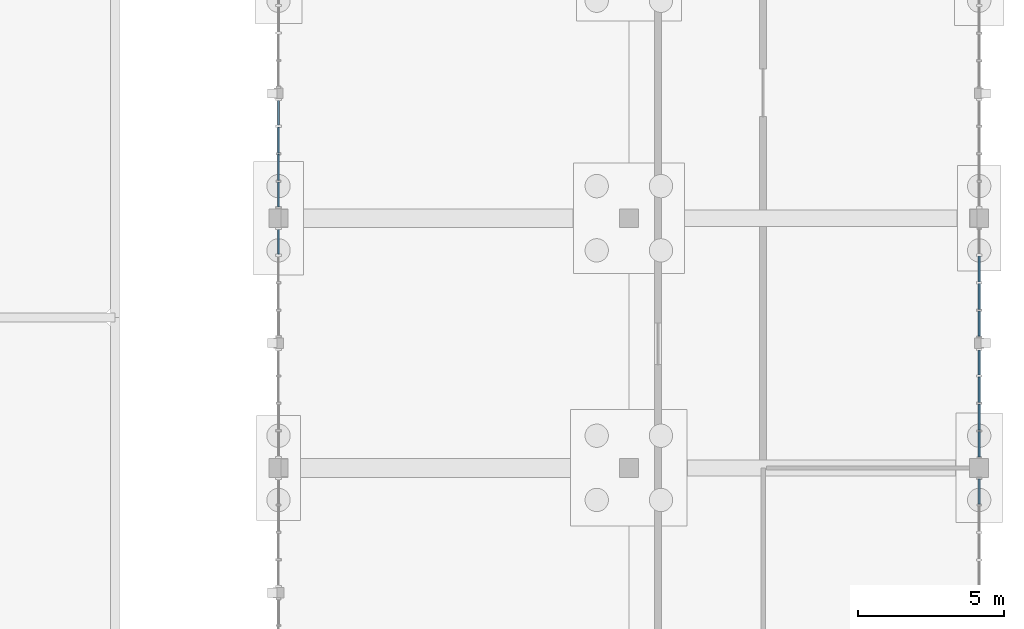
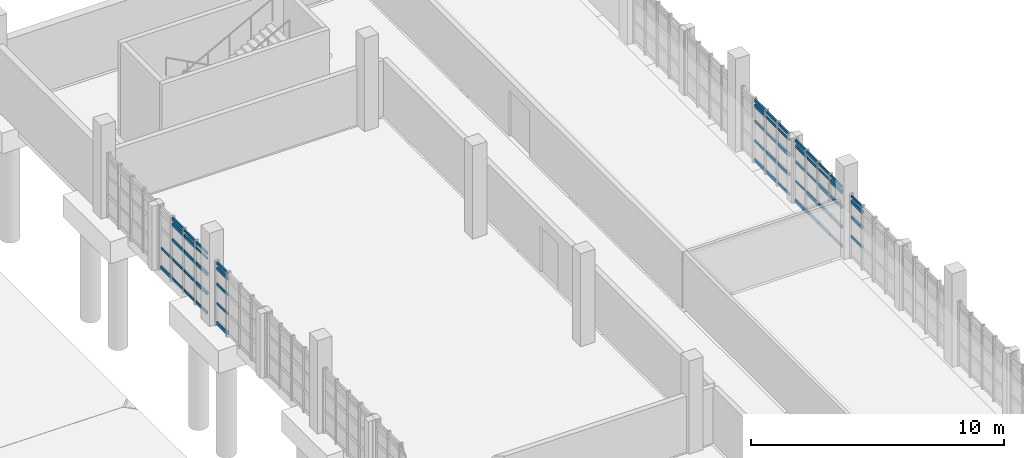
# One storey, part 75 of 125: 61 members, 5 elements without a shape of their own.
"""IFC4 building model written with IfcOpenShell, lengths in metres."""

from ifc_helpers import new_model, si_unit, direction, frame, origin, origin_2d, place, context, subcontext, project, spatial, rectangle, extrude, material, material_profile, profile_set, type_object, element, aggregate, save


model = new_model("IFC4")

# Units and contexts
model_context = context("Model", 3, precision=1e-05, world=origin(), true_north=direction((0.0, 1.0)))
body_context = subcontext(model_context, "Body", "Model", "MODEL_VIEW")
ifc_project = project(units=[si_unit("LENGTHUNIT", "METRE"), si_unit("AREAUNIT", "SQUARE_METRE"), si_unit("VOLUMEUNIT", "CUBIC_METRE"), si_unit("PLANEANGLEUNIT", "RADIAN"), si_unit("MASSUNIT", "GRAM", prefix="KILO")], contexts=[model_context])

# Site, building, storey
site_placement = place(None, origin())
site = spatial("IfcSite", under=ifc_project, at=site_placement, CompositionType="ELEMENT")
building_placement = place(site_placement, origin())
building = spatial("IfcBuilding", under=site, at=building_placement, Name="Serraforn Aerial Cableway Station", CompositionType="ELEMENT")
storey_placement = place(building_placement, frame((0.0, 0.0, 4.5)))
storey = spatial("IfcBuildingStorey", under=building, at=storey_placement, Name="L01", CompositionType="ELEMENT", Elevation=4.5)

# Curtain wall, member
ifc_material_1 = material(Name="Anodised bronze unitised curtain wall")
curtain_wall_type_1 = type_object("IfcCurtainWallType", Name="CW-SYS-14", PredefinedType="USERDEFINED", material=ifc_material_1)
curtain_wall_1_placement = place(storey_placement, origin())
curtain_wall_1 = element("IfcCurtainWall", 1, at=curtain_wall_1_placement, inside=storey, type_object=curtain_wall_type_1, Name="Unitised Curtain Wall CW-EG-L01-E5B", ObjectType="UNITISED CURTAIN WALL", PredefinedType="USERDEFINED")
ifc_material_2 = material(Name="Anodised bronze extruded aluminium", Category="aluminium")
ifc_material_profile_1 = material_profile(ifc_material_2, rectangle(XDim=0.054931640625, YDim=0.110107421875, at=origin_2d()), Name="CW TRANSOM 55x110")
ifc_profile_set_1 = profile_set([ifc_material_profile_1], Name="Anodised bronze extruded aluminium")
member_type_1 = type_object("IfcMemberType", Name="CW-TRN-1", PredefinedType="USERDEFINED", material=ifc_profile_set_1)
member_1_placement = place(storey_placement, frame((168.0, 87.109619140625, 2.9951171875), z_axis=(0.0, 1.0, 0.0), x_axis=(-1.0, 0.0, 0.0)))
member_1 = element("IfcMember", 2, at=member_1_placement, type_object=member_type_1, Name="Curtain Wall Transom CW-EG-L01-E5B-T4-5", ObjectType="TRANSOM", PredefinedType="USERDEFINED", context=body_context, shape_type="SweptSolid", body=[
    extrude(rectangle(XDim=0.054931640625, YDim=0.110107421875, at=origin_2d()), origin(), (0.0, 0.0, 1.0), 0.859375),
])

curtain_wall_type_2 = type_object("IfcCurtainWallType", Name="CW-SYS-15", PredefinedType="USERDEFINED", material=ifc_material_1)
curtain_wall_2_placement = place(storey_placement, origin())
curtain_wall_2 = element("IfcCurtainWall", 3, at=curtain_wall_2_placement, inside=storey, type_object=curtain_wall_type_2, Name="Unitised Curtain Wall CW-EG-L01-W6A", ObjectType="UNITISED CURTAIN WALL", PredefinedType="USERDEFINED")
member_2_placement = place(storey_placement, frame((144.0, 96.509033203125, 1.060791015625), z_axis=(0.0, -1.0, 0.0), x_axis=(1.0, 0.0, 0.0)))
member_2 = element("IfcMember", 4, at=member_2_placement, type_object=member_type_1, Name="Curtain Wall Transom CW-EG-L01-W6A-T1-2", ObjectType="TRANSOM", PredefinedType="USERDEFINED", context=body_context, shape_type="SweptSolid", body=[
    extrude(rectangle(XDim=0.054931640625, YDim=0.110107421875, at=origin_2d()), origin(), (0.0, 0.0, 1.0), 0.839599609375),
])

# Curtain wall, members
curtain_wall_type_3 = type_object("IfcCurtainWallType", Name="CW-SYS-17", PredefinedType="USERDEFINED", material=ifc_material_1)
curtain_wall_3_placement = place(storey_placement, origin())
curtain_wall_3 = element("IfcCurtainWall", 5, at=curtain_wall_3_placement, inside=storey, type_object=curtain_wall_type_3, Name="Unitised Curtain Wall CW-EG-L01-E6A", ObjectType="UNITISED CURTAIN WALL", PredefinedType="USERDEFINED")
member_3_placement = place(storey_placement, frame((168.0, 88.72607421875, 2.9951171875), z_axis=(0.0, 1.0, 0.0), x_axis=(-1.0, 0.0, 0.0)))
member_3 = element("IfcMember", 6, at=member_3_placement, type_object=member_type_1, Name="Curtain Wall Transom CW-EG-L01-E6A-T1-5", ObjectType="TRANSOM", PredefinedType="USERDEFINED", context=body_context, shape_type="SweptSolid", body=[
    extrude(rectangle(XDim=0.054931640625, YDim=0.110107421875, at=origin_2d()), origin(), (0.0, 0.0, 1.0), 0.86181640625),
])
member_4_placement = place(storey_placement, frame((168.0, 89.64404296875, 2.74560546875), z_axis=(0.0, 1.0, 0.0), x_axis=(-1.0, 0.0, 0.0)))
member_4 = element("IfcMember", 7, at=member_4_placement, type_object=member_type_1, Name="Curtain Wall Transom CW-EG-L01-E6A-T2-4", ObjectType="TRANSOM", PredefinedType="USERDEFINED", context=body_context, shape_type="SweptSolid", body=[
    extrude(rectangle(XDim=0.054931640625, YDim=0.110107421875, at=origin_2d()), origin(), (0.0, 0.0, 1.0), 0.884521484375),
])
member_5_placement = place(storey_placement, frame((168.0, 90.589599609375, 1.996826171875), z_axis=(0.0, 1.0, 0.0), x_axis=(-1.0, 0.0, 0.0)))
member_5 = element("IfcMember", 8, at=member_5_placement, type_object=member_type_1, Name="Curtain Wall Transom CW-EG-L01-E6A-T3-3", ObjectType="TRANSOM", PredefinedType="USERDEFINED", context=body_context, shape_type="SweptSolid", body=[
    extrude(rectangle(XDim=0.054931640625, YDim=0.110107421875, at=origin_2d()), origin(), (0.0, 0.0, 1.0), 0.87939453125),
])
member_6_placement = place(storey_placement, frame((168.0, 91.534912109375, 1.060791015625), z_axis=(0.0, 1.0, 0.0), x_axis=(-1.0, 0.0, 0.0)))
member_6 = element("IfcMember", 9, at=member_6_placement, type_object=member_type_1, Name="Curtain Wall Transom CW-EG-L01-E6A-T4-2", ObjectType="TRANSOM", PredefinedType="USERDEFINED", context=body_context, shape_type="SweptSolid", body=[
    extrude(rectangle(XDim=0.054931640625, YDim=0.110107421875, at=origin_2d()), origin(), (0.0, 0.0, 1.0), 0.837158203125),
])

curtain_wall_type_4 = type_object("IfcCurtainWallType", Name="CW-SYS-18", PredefinedType="USERDEFINED", material=ifc_material_1)
curtain_wall_4_placement = place(storey_placement, origin())
curtain_wall_4 = element("IfcCurtainWall", 10, at=curtain_wall_4_placement, inside=storey, type_object=curtain_wall_type_4, Name="Unitised Curtain Wall CW-EG-L01-E6B", ObjectType="UNITISED CURTAIN WALL", PredefinedType="USERDEFINED")
member_7_placement = place(storey_placement, frame((168.0, 92.863037109375, 2.74560546875), z_axis=(0.0, 1.0, 0.0), x_axis=(-1.0, 0.0, 0.0)))
member_7 = element("IfcMember", 11, at=member_7_placement, type_object=member_type_1, Name="Curtain Wall Transom CW-EG-L01-E6B-T1-4", ObjectType="TRANSOM", PredefinedType="USERDEFINED", context=body_context, shape_type="SweptSolid", body=[
    extrude(rectangle(XDim=0.054931640625, YDim=0.110107421875, at=origin_2d()), origin(), (0.0, 0.0, 1.0), 0.8544921875),
])
member_8_placement = place(storey_placement, frame((168.0, 93.778564453125, 1.996826171875), z_axis=(0.0, 1.0, 0.0), x_axis=(-1.0, 0.0, 0.0)))
member_8 = element("IfcMember", 12, at=member_8_placement, type_object=member_type_1, Name="Curtain Wall Transom CW-EG-L01-E6B-T2-3", ObjectType="TRANSOM", PredefinedType="USERDEFINED", context=body_context, shape_type="SweptSolid", body=[
    extrude(rectangle(XDim=0.054931640625, YDim=0.110107421875, at=origin_2d()), origin(), (0.0, 0.0, 1.0), 0.87939453125),
])
member_9_placement = place(storey_placement, frame((168.0, 94.72412109375, 1.060791015625), z_axis=(0.0, 1.0, 0.0), x_axis=(-1.0, 0.0, 0.0)))
member_9 = element("IfcMember", 13, at=member_9_placement, type_object=member_type_1, Name="Curtain Wall Transom CW-EG-L01-E6B-T3-2", ObjectType="TRANSOM", PredefinedType="USERDEFINED", context=body_context, shape_type="SweptSolid", body=[
    extrude(rectangle(XDim=0.054931640625, YDim=0.110107421875, at=origin_2d()), origin(), (0.0, 0.0, 1.0), 0.874267578125),
])

curtain_wall_type_5 = type_object("IfcCurtainWallType", Name="CW-SYS-20", PredefinedType="USERDEFINED", material=ifc_material_1)
curtain_wall_5_placement = place(storey_placement, origin())
curtain_wall_5 = element("IfcCurtainWall", 14, at=curtain_wall_5_placement, inside=storey, type_object=curtain_wall_type_5, Name="Unitised Curtain Wall CW-EG-L01-W7B", ObjectType="UNITISED CURTAIN WALL", PredefinedType="USERDEFINED")
member_10_placement = place(storey_placement, frame((144.0, 100.927001953125, 1.060791015625), z_axis=(0.0, -1.0, 0.0), x_axis=(1.0, 0.0, 0.0)))
member_10 = element("IfcMember", 15, at=member_10_placement, type_object=member_type_1, Name="Curtain Wall Transom CW-EG-L01-W7B-T1-2", ObjectType="TRANSOM", PredefinedType="USERDEFINED", context=body_context, shape_type="SweptSolid", body=[
    extrude(rectangle(XDim=0.054931640625, YDim=0.110107421875, at=origin_2d()), origin(), (0.0, 0.0, 1.0), 0.839599609375),
])
member_11_placement = place(storey_placement, frame((144.0, 100.0166015625, 0.124755859375), z_axis=(0.0, -1.0, 0.0), x_axis=(1.0, 0.0, 0.0)))
member_11 = element("IfcMember", 16, at=member_11_placement, type_object=member_type_1, Name="Curtain Wall Transom CW-EG-L01-W7B-T2-1", ObjectType="TRANSOM", PredefinedType="USERDEFINED", context=body_context, shape_type="SweptSolid", body=[
    extrude(rectangle(XDim=0.054931640625, YDim=0.110107421875, at=origin_2d()), origin(), (0.0, 0.0, 1.0), 0.882080078125),
])
member_12_placement = place(storey_placement, frame((144.0, 99.08349609375, 2.9951171875), z_axis=(0.0, -1.0, 0.0), x_axis=(1.0, 0.0, 0.0)))
member_12 = element("IfcMember", 17, at=member_12_placement, type_object=member_type_1, Name="Curtain Wall Transom CW-EG-L01-W7B-T3-5", ObjectType="TRANSOM", PredefinedType="USERDEFINED", context=body_context, shape_type="SweptSolid", body=[
    extrude(rectangle(XDim=0.054931640625, YDim=0.110107421875, at=origin_2d()), origin(), (0.0, 0.0, 1.0), 0.889404296875),
])
member_13_placement = place(storey_placement, frame((144.0, 98.137939453125, 2.74560546875), z_axis=(0.0, -1.0, 0.0), x_axis=(1.0, 0.0, 0.0)))
member_13 = element("IfcMember", 18, at=member_13_placement, type_object=member_type_1, Name="Curtain Wall Transom CW-EG-L01-W7B-T4-4", ObjectType="TRANSOM", PredefinedType="USERDEFINED", context=body_context, shape_type="SweptSolid", body=[
    extrude(rectangle(XDim=0.054931640625, YDim=0.110107421875, at=origin_2d()), origin(), (0.0, 0.0, 1.0), 0.85205078125),
])

# Member
ifc_material_profile_2 = material_profile(ifc_material_2, rectangle(XDim=0.06005859375, YDim=0.1201171875, at=origin_2d()), Name="CW TRANSOM 60x120")
ifc_profile_set_2 = profile_set([ifc_material_profile_2], Name="Anodised bronze extruded aluminium")
member_type_2 = type_object("IfcMemberType", Name="CW-TRN-2", PredefinedType="USERDEFINED", material=ifc_profile_set_2)
member_14_placement = place(storey_placement, frame((144.0, 96.509033203125, 1.996826171875), z_axis=(0.0, -1.0, 0.0), x_axis=(1.0, 0.0, 0.0)))
member_14 = element("IfcMember", 19, at=member_14_placement, type_object=member_type_2, Name="Curtain Wall Transom CW-EG-L01-W6A-T1-3", ObjectType="TRANSOM", PredefinedType="USERDEFINED", context=body_context, shape_type="SweptSolid", body=[
    extrude(rectangle(XDim=0.06005859375, YDim=0.1201171875, at=origin_2d()), origin(), (0.0, 0.0, 1.0), 0.839599609375),
])

member_15_placement = place(storey_placement, frame((168.0, 88.72607421875, 0.124755859375), z_axis=(0.0, 1.0, 0.0), x_axis=(-1.0, 0.0, 0.0)))
member_15 = element("IfcMember", 20, at=member_15_placement, type_object=member_type_2, Name="Curtain Wall Transom CW-EG-L01-E6A-T1-1", ObjectType="TRANSOM", PredefinedType="USERDEFINED", context=body_context, shape_type="SweptSolid", body=[
    extrude(rectangle(XDim=0.06005859375, YDim=0.1201171875, at=origin_2d()), origin(), (0.0, 0.0, 1.0), 0.86181640625),
])

member_16_placement = place(storey_placement, frame((168.0, 89.64404296875, 2.9951171875), z_axis=(0.0, 1.0, 0.0), x_axis=(-1.0, 0.0, 0.0)))
member_16 = element("IfcMember", 21, at=member_16_placement, type_object=member_type_2, Name="Curtain Wall Transom CW-EG-L01-E6A-T2-5", ObjectType="TRANSOM", PredefinedType="USERDEFINED", context=body_context, shape_type="SweptSolid", body=[
    extrude(rectangle(XDim=0.06005859375, YDim=0.1201171875, at=origin_2d()), origin(), (0.0, 0.0, 1.0), 0.884521484375),
])

member_17_placement = place(storey_placement, frame((168.0, 90.589599609375, 2.74560546875), z_axis=(0.0, 1.0, 0.0), x_axis=(-1.0, 0.0, 0.0)))
member_17 = element("IfcMember", 22, at=member_17_placement, type_object=member_type_2, Name="Curtain Wall Transom CW-EG-L01-E6A-T3-4", ObjectType="TRANSOM", PredefinedType="USERDEFINED", context=body_context, shape_type="SweptSolid", body=[
    extrude(rectangle(XDim=0.06005859375, YDim=0.1201171875, at=origin_2d()), origin(), (0.0, 0.0, 1.0), 0.87939453125),
])

member_18_placement = place(storey_placement, frame((168.0, 91.534912109375, 1.996826171875), z_axis=(0.0, 1.0, 0.0), x_axis=(-1.0, 0.0, 0.0)))
member_18 = element("IfcMember", 23, at=member_18_placement, type_object=member_type_2, Name="Curtain Wall Transom CW-EG-L01-E6A-T4-3", ObjectType="TRANSOM", PredefinedType="USERDEFINED", context=body_context, shape_type="SweptSolid", body=[
    extrude(rectangle(XDim=0.06005859375, YDim=0.1201171875, at=origin_2d()), origin(), (0.0, 0.0, 1.0), 0.837158203125),
])

member_19_placement = place(storey_placement, frame((168.0, 92.863037109375, 2.9951171875), z_axis=(0.0, 1.0, 0.0), x_axis=(-1.0, 0.0, 0.0)))
member_19 = element("IfcMember", 24, at=member_19_placement, type_object=member_type_2, Name="Curtain Wall Transom CW-EG-L01-E6B-T1-5", ObjectType="TRANSOM", PredefinedType="USERDEFINED", context=body_context, shape_type="SweptSolid", body=[
    extrude(rectangle(XDim=0.06005859375, YDim=0.1201171875, at=origin_2d()), origin(), (0.0, 0.0, 1.0), 0.8544921875),
])

member_20_placement = place(storey_placement, frame((168.0, 93.778564453125, 2.74560546875), z_axis=(0.0, 1.0, 0.0), x_axis=(-1.0, 0.0, 0.0)))
member_20 = element("IfcMember", 25, at=member_20_placement, type_object=member_type_2, Name="Curtain Wall Transom CW-EG-L01-E6B-T2-4", ObjectType="TRANSOM", PredefinedType="USERDEFINED", context=body_context, shape_type="SweptSolid", body=[
    extrude(rectangle(XDim=0.06005859375, YDim=0.1201171875, at=origin_2d()), origin(), (0.0, 0.0, 1.0), 0.87939453125),
])

member_21_placement = place(storey_placement, frame((168.0, 94.72412109375, 1.996826171875), z_axis=(0.0, 1.0, 0.0), x_axis=(-1.0, 0.0, 0.0)))
member_21 = element("IfcMember", 26, at=member_21_placement, type_object=member_type_2, Name="Curtain Wall Transom CW-EG-L01-E6B-T3-3", ObjectType="TRANSOM", PredefinedType="USERDEFINED", context=body_context, shape_type="SweptSolid", body=[
    extrude(rectangle(XDim=0.06005859375, YDim=0.1201171875, at=origin_2d()), origin(), (0.0, 0.0, 1.0), 0.874267578125),
])

member_22_placement = place(storey_placement, frame((144.0, 100.0166015625, 1.060791015625), z_axis=(0.0, -1.0, 0.0), x_axis=(1.0, 0.0, 0.0)))
member_22 = element("IfcMember", 27, at=member_22_placement, type_object=member_type_2, Name="Curtain Wall Transom CW-EG-L01-W7B-T2-2", ObjectType="TRANSOM", PredefinedType="USERDEFINED", context=body_context, shape_type="SweptSolid", body=[
    extrude(rectangle(XDim=0.06005859375, YDim=0.1201171875, at=origin_2d()), origin(), (0.0, 0.0, 1.0), 0.882080078125),
])

member_23_placement = place(storey_placement, frame((144.0, 99.08349609375, 0.124755859375), z_axis=(0.0, -1.0, 0.0), x_axis=(1.0, 0.0, 0.0)))
member_23 = element("IfcMember", 28, at=member_23_placement, type_object=member_type_2, Name="Curtain Wall Transom CW-EG-L01-W7B-T3-1", ObjectType="TRANSOM", PredefinedType="USERDEFINED", context=body_context, shape_type="SweptSolid", body=[
    extrude(rectangle(XDim=0.06005859375, YDim=0.1201171875, at=origin_2d()), origin(), (0.0, 0.0, 1.0), 0.889404296875),
])

member_24_placement = place(storey_placement, frame((144.0, 98.137939453125, 2.9951171875), z_axis=(0.0, -1.0, 0.0), x_axis=(1.0, 0.0, 0.0)))
member_24 = element("IfcMember", 29, at=member_24_placement, type_object=member_type_2, Name="Curtain Wall Transom CW-EG-L01-W7B-T4-5", ObjectType="TRANSOM", PredefinedType="USERDEFINED", context=body_context, shape_type="SweptSolid", body=[
    extrude(rectangle(XDim=0.06005859375, YDim=0.1201171875, at=origin_2d()), origin(), (0.0, 0.0, 1.0), 0.85205078125),
])

ifc_material_profile_3 = material_profile(ifc_material_2, rectangle(XDim=0.06494140625, YDim=0.135009765625, at=origin_2d()), Name="CW TRANSOM 65x135")
ifc_profile_set_3 = profile_set([ifc_material_profile_3], Name="Anodised bronze extruded aluminium")
member_type_3 = type_object("IfcMemberType", Name="CW-TRN-3", PredefinedType="USERDEFINED", material=ifc_profile_set_3)
member_25_placement = place(storey_placement, frame((168.0, 87.109619140625, 1.060791015625), z_axis=(0.0, 1.0, 0.0), x_axis=(-1.0, 0.0, 0.0)))
member_25 = element("IfcMember", 30, at=member_25_placement, type_object=member_type_3, Name="Curtain Wall Transom CW-EG-L01-E5B-T4-2", ObjectType="TRANSOM", PredefinedType="USERDEFINED", context=body_context, shape_type="SweptSolid", body=[
    extrude(rectangle(XDim=0.06494140625, YDim=0.135009765625, at=origin_2d()), origin(), (0.0, 0.0, 1.0), 0.859375),
])

member_26_placement = place(storey_placement, frame((144.0, 96.509033203125, 2.74560546875), z_axis=(0.0, -1.0, 0.0), x_axis=(1.0, 0.0, 0.0)))
member_26 = element("IfcMember", 31, at=member_26_placement, type_object=member_type_3, Name="Curtain Wall Transom CW-EG-L01-W6A-T1-4", ObjectType="TRANSOM", PredefinedType="USERDEFINED", context=body_context, shape_type="SweptSolid", body=[
    extrude(rectangle(XDim=0.06494140625, YDim=0.135009765625, at=origin_2d()), origin(), (0.0, 0.0, 1.0), 0.839599609375),
])

member_27_placement = place(storey_placement, frame((168.0, 88.72607421875, 1.060791015625), z_axis=(0.0, 1.0, 0.0), x_axis=(-1.0, 0.0, 0.0)))
member_27 = element("IfcMember", 32, at=member_27_placement, type_object=member_type_3, Name="Curtain Wall Transom CW-EG-L01-E6A-T1-2", ObjectType="TRANSOM", PredefinedType="USERDEFINED", context=body_context, shape_type="SweptSolid", body=[
    extrude(rectangle(XDim=0.06494140625, YDim=0.135009765625, at=origin_2d()), origin(), (0.0, 0.0, 1.0), 0.86181640625),
])

member_28_placement = place(storey_placement, frame((168.0, 89.64404296875, 0.124755859375), z_axis=(0.0, 1.0, 0.0), x_axis=(-1.0, 0.0, 0.0)))
member_28 = element("IfcMember", 33, at=member_28_placement, type_object=member_type_3, Name="Curtain Wall Transom CW-EG-L01-E6A-T2-1", ObjectType="TRANSOM", PredefinedType="USERDEFINED", context=body_context, shape_type="SweptSolid", body=[
    extrude(rectangle(XDim=0.06494140625, YDim=0.135009765625, at=origin_2d()), origin(), (0.0, 0.0, 1.0), 0.884521484375),
])

member_29_placement = place(storey_placement, frame((168.0, 90.589599609375, 2.9951171875), z_axis=(0.0, 1.0, 0.0), x_axis=(-1.0, 0.0, 0.0)))
member_29 = element("IfcMember", 34, at=member_29_placement, type_object=member_type_3, Name="Curtain Wall Transom CW-EG-L01-E6A-T3-5", ObjectType="TRANSOM", PredefinedType="USERDEFINED", context=body_context, shape_type="SweptSolid", body=[
    extrude(rectangle(XDim=0.06494140625, YDim=0.135009765625, at=origin_2d()), origin(), (0.0, 0.0, 1.0), 0.87939453125),
])

member_30_placement = place(storey_placement, frame((168.0, 91.534912109375, 2.74560546875), z_axis=(0.0, 1.0, 0.0), x_axis=(-1.0, 0.0, 0.0)))
member_30 = element("IfcMember", 35, at=member_30_placement, type_object=member_type_3, Name="Curtain Wall Transom CW-EG-L01-E6A-T4-4", ObjectType="TRANSOM", PredefinedType="USERDEFINED", context=body_context, shape_type="SweptSolid", body=[
    extrude(rectangle(XDim=0.06494140625, YDim=0.135009765625, at=origin_2d()), origin(), (0.0, 0.0, 1.0), 0.837158203125),
])

member_31_placement = place(storey_placement, frame((168.0, 92.863037109375, 0.124755859375), z_axis=(0.0, 1.0, 0.0), x_axis=(-1.0, 0.0, 0.0)))
member_31 = element("IfcMember", 36, at=member_31_placement, type_object=member_type_3, Name="Curtain Wall Transom CW-EG-L01-E6B-T1-1", ObjectType="TRANSOM", PredefinedType="USERDEFINED", context=body_context, shape_type="SweptSolid", body=[
    extrude(rectangle(XDim=0.06494140625, YDim=0.135009765625, at=origin_2d()), origin(), (0.0, 0.0, 1.0), 0.8544921875),
])

member_32_placement = place(storey_placement, frame((168.0, 93.778564453125, 2.9951171875), z_axis=(0.0, 1.0, 0.0), x_axis=(-1.0, 0.0, 0.0)))
member_32 = element("IfcMember", 37, at=member_32_placement, type_object=member_type_3, Name="Curtain Wall Transom CW-EG-L01-E6B-T2-5", ObjectType="TRANSOM", PredefinedType="USERDEFINED", context=body_context, shape_type="SweptSolid", body=[
    extrude(rectangle(XDim=0.06494140625, YDim=0.135009765625, at=origin_2d()), origin(), (0.0, 0.0, 1.0), 0.87939453125),
])

member_33_placement = place(storey_placement, frame((168.0, 94.72412109375, 2.74560546875), z_axis=(0.0, 1.0, 0.0), x_axis=(-1.0, 0.0, 0.0)))
member_33 = element("IfcMember", 38, at=member_33_placement, type_object=member_type_3, Name="Curtain Wall Transom CW-EG-L01-E6B-T3-4", ObjectType="TRANSOM", PredefinedType="USERDEFINED", context=body_context, shape_type="SweptSolid", body=[
    extrude(rectangle(XDim=0.06494140625, YDim=0.135009765625, at=origin_2d()), origin(), (0.0, 0.0, 1.0), 0.874267578125),
])

member_34_placement = place(storey_placement, frame((144.0, 100.0166015625, 1.996826171875), z_axis=(0.0, -1.0, 0.0), x_axis=(1.0, 0.0, 0.0)))
member_34 = element("IfcMember", 39, at=member_34_placement, type_object=member_type_3, Name="Curtain Wall Transom CW-EG-L01-W7B-T2-3", ObjectType="TRANSOM", PredefinedType="USERDEFINED", context=body_context, shape_type="SweptSolid", body=[
    extrude(rectangle(XDim=0.06494140625, YDim=0.135009765625, at=origin_2d()), origin(), (0.0, 0.0, 1.0), 0.882080078125),
])

member_35_placement = place(storey_placement, frame((144.0, 99.08349609375, 1.060791015625), z_axis=(0.0, -1.0, 0.0), x_axis=(1.0, 0.0, 0.0)))
member_35 = element("IfcMember", 40, at=member_35_placement, type_object=member_type_3, Name="Curtain Wall Transom CW-EG-L01-W7B-T3-2", ObjectType="TRANSOM", PredefinedType="USERDEFINED", context=body_context, shape_type="SweptSolid", body=[
    extrude(rectangle(XDim=0.06494140625, YDim=0.135009765625, at=origin_2d()), origin(), (0.0, 0.0, 1.0), 0.889404296875),
])

member_36_placement = place(storey_placement, frame((144.0, 98.137939453125, 0.124755859375), z_axis=(0.0, -1.0, 0.0), x_axis=(1.0, 0.0, 0.0)))
member_36 = element("IfcMember", 41, at=member_36_placement, type_object=member_type_3, Name="Curtain Wall Transom CW-EG-L01-W7B-T4-1", ObjectType="TRANSOM", PredefinedType="USERDEFINED", context=body_context, shape_type="SweptSolid", body=[
    extrude(rectangle(XDim=0.06494140625, YDim=0.135009765625, at=origin_2d()), origin(), (0.0, 0.0, 1.0), 0.85205078125),
])

ifc_material_profile_4 = material_profile(ifc_material_2, rectangle(XDim=0.070068359375, YDim=0.14990234375, at=origin_2d()), Name="CW TRANSOM 70x150")
ifc_profile_set_4 = profile_set([ifc_material_profile_4], Name="Anodised bronze extruded aluminium")
member_type_4 = type_object("IfcMemberType", Name="CW-TRN-4", PredefinedType="USERDEFINED", material=ifc_profile_set_4)
member_37_placement = place(storey_placement, frame((168.0, 87.109619140625, 1.996826171875), z_axis=(0.0, 1.0, 0.0), x_axis=(-1.0, 0.0, 0.0)))
member_37 = element("IfcMember", 42, at=member_37_placement, type_object=member_type_4, Name="Curtain Wall Transom CW-EG-L01-E5B-T4-3", ObjectType="TRANSOM", PredefinedType="USERDEFINED", context=body_context, shape_type="SweptSolid", body=[
    extrude(rectangle(XDim=0.070068359375, YDim=0.14990234375, at=origin_2d()), origin(), (0.0, 0.0, 1.0), 0.859375),
])

member_38_placement = place(storey_placement, frame((144.0, 96.509033203125, 2.9951171875), z_axis=(0.0, -1.0, 0.0), x_axis=(1.0, 0.0, 0.0)))
member_38 = element("IfcMember", 43, at=member_38_placement, type_object=member_type_4, Name="Curtain Wall Transom CW-EG-L01-W6A-T1-5", ObjectType="TRANSOM", PredefinedType="USERDEFINED", context=body_context, shape_type="SweptSolid", body=[
    extrude(rectangle(XDim=0.070068359375, YDim=0.14990234375, at=origin_2d()), origin(), (0.0, 0.0, 1.0), 0.839599609375),
])

member_39_placement = place(storey_placement, frame((168.0, 88.72607421875, 1.996826171875), z_axis=(0.0, 1.0, 0.0), x_axis=(-1.0, 0.0, 0.0)))
member_39 = element("IfcMember", 44, at=member_39_placement, type_object=member_type_4, Name="Curtain Wall Transom CW-EG-L01-E6A-T1-3", ObjectType="TRANSOM", PredefinedType="USERDEFINED", context=body_context, shape_type="SweptSolid", body=[
    extrude(rectangle(XDim=0.070068359375, YDim=0.14990234375, at=origin_2d()), origin(), (0.0, 0.0, 1.0), 0.86181640625),
])

member_40_placement = place(storey_placement, frame((168.0, 89.64404296875, 1.060791015625), z_axis=(0.0, 1.0, 0.0), x_axis=(-1.0, 0.0, 0.0)))
member_40 = element("IfcMember", 45, at=member_40_placement, type_object=member_type_4, Name="Curtain Wall Transom CW-EG-L01-E6A-T2-2", ObjectType="TRANSOM", PredefinedType="USERDEFINED", context=body_context, shape_type="SweptSolid", body=[
    extrude(rectangle(XDim=0.070068359375, YDim=0.14990234375, at=origin_2d()), origin(), (0.0, 0.0, 1.0), 0.884521484375),
])

member_41_placement = place(storey_placement, frame((168.0, 90.589599609375, 0.124755859375), z_axis=(0.0, 1.0, 0.0), x_axis=(-1.0, 0.0, 0.0)))
member_41 = element("IfcMember", 46, at=member_41_placement, type_object=member_type_4, Name="Curtain Wall Transom CW-EG-L01-E6A-T3-1", ObjectType="TRANSOM", PredefinedType="USERDEFINED", context=body_context, shape_type="SweptSolid", body=[
    extrude(rectangle(XDim=0.070068359375, YDim=0.14990234375, at=origin_2d()), origin(), (0.0, 0.0, 1.0), 0.87939453125),
])

member_42_placement = place(storey_placement, frame((168.0, 91.534912109375, 2.9951171875), z_axis=(0.0, 1.0, 0.0), x_axis=(-1.0, 0.0, 0.0)))
member_42 = element("IfcMember", 47, at=member_42_placement, type_object=member_type_4, Name="Curtain Wall Transom CW-EG-L01-E6A-T4-5", ObjectType="TRANSOM", PredefinedType="USERDEFINED", context=body_context, shape_type="SweptSolid", body=[
    extrude(rectangle(XDim=0.070068359375, YDim=0.14990234375, at=origin_2d()), origin(), (0.0, 0.0, 1.0), 0.837158203125),
])

member_43_placement = place(storey_placement, frame((168.0, 92.863037109375, 1.060791015625), z_axis=(0.0, 1.0, 0.0), x_axis=(-1.0, 0.0, 0.0)))
member_43 = element("IfcMember", 48, at=member_43_placement, type_object=member_type_4, Name="Curtain Wall Transom CW-EG-L01-E6B-T1-2", ObjectType="TRANSOM", PredefinedType="USERDEFINED", context=body_context, shape_type="SweptSolid", body=[
    extrude(rectangle(XDim=0.070068359375, YDim=0.14990234375, at=origin_2d()), origin(), (0.0, 0.0, 1.0), 0.8544921875),
])

member_44_placement = place(storey_placement, frame((168.0, 93.778564453125, 0.124755859375), z_axis=(0.0, 1.0, 0.0), x_axis=(-1.0, 0.0, 0.0)))
member_44 = element("IfcMember", 49, at=member_44_placement, type_object=member_type_4, Name="Curtain Wall Transom CW-EG-L01-E6B-T2-1", ObjectType="TRANSOM", PredefinedType="USERDEFINED", context=body_context, shape_type="SweptSolid", body=[
    extrude(rectangle(XDim=0.070068359375, YDim=0.14990234375, at=origin_2d()), origin(), (0.0, 0.0, 1.0), 0.87939453125),
])

member_45_placement = place(storey_placement, frame((168.0, 94.72412109375, 2.9951171875), z_axis=(0.0, 1.0, 0.0), x_axis=(-1.0, 0.0, 0.0)))
member_45 = element("IfcMember", 50, at=member_45_placement, type_object=member_type_4, Name="Curtain Wall Transom CW-EG-L01-E6B-T3-5", ObjectType="TRANSOM", PredefinedType="USERDEFINED", context=body_context, shape_type="SweptSolid", body=[
    extrude(rectangle(XDim=0.070068359375, YDim=0.14990234375, at=origin_2d()), origin(), (0.0, 0.0, 1.0), 0.874267578125),
])

member_46_placement = place(storey_placement, frame((144.0, 100.0166015625, 2.74560546875), z_axis=(0.0, -1.0, 0.0), x_axis=(1.0, 0.0, 0.0)))
member_46 = element("IfcMember", 51, at=member_46_placement, type_object=member_type_4, Name="Curtain Wall Transom CW-EG-L01-W7B-T2-4", ObjectType="TRANSOM", PredefinedType="USERDEFINED", context=body_context, shape_type="SweptSolid", body=[
    extrude(rectangle(XDim=0.070068359375, YDim=0.14990234375, at=origin_2d()), origin(), (0.0, 0.0, 1.0), 0.882080078125),
])

member_47_placement = place(storey_placement, frame((144.0, 99.08349609375, 1.996826171875), z_axis=(0.0, -1.0, 0.0), x_axis=(1.0, 0.0, 0.0)))
member_47 = element("IfcMember", 52, at=member_47_placement, type_object=member_type_4, Name="Curtain Wall Transom CW-EG-L01-W7B-T3-3", ObjectType="TRANSOM", PredefinedType="USERDEFINED", context=body_context, shape_type="SweptSolid", body=[
    extrude(rectangle(XDim=0.070068359375, YDim=0.14990234375, at=origin_2d()), origin(), (0.0, 0.0, 1.0), 0.889404296875),
])

member_48_placement = place(storey_placement, frame((144.0, 98.137939453125, 1.060791015625), z_axis=(0.0, -1.0, 0.0), x_axis=(1.0, 0.0, 0.0)))
member_48 = element("IfcMember", 53, at=member_48_placement, type_object=member_type_4, Name="Curtain Wall Transom CW-EG-L01-W7B-T4-2", ObjectType="TRANSOM", PredefinedType="USERDEFINED", context=body_context, shape_type="SweptSolid", body=[
    extrude(rectangle(XDim=0.070068359375, YDim=0.14990234375, at=origin_2d()), origin(), (0.0, 0.0, 1.0), 0.85205078125),
])

ifc_material_profile_5 = material_profile(ifc_material_2, rectangle(XDim=0.074951171875, YDim=0.1650390625, at=origin_2d()), Name="CW TRANSOM 75x165")
ifc_profile_set_5 = profile_set([ifc_material_profile_5], Name="Anodised bronze extruded aluminium")
member_type_5 = type_object("IfcMemberType", Name="CW-TRN-5", PredefinedType="USERDEFINED", material=ifc_profile_set_5)
member_49_placement = place(storey_placement, frame((168.0, 87.109619140625, 2.74560546875), z_axis=(0.0, 1.0, 0.0), x_axis=(-1.0, 0.0, 0.0)))
member_49 = element("IfcMember", 54, at=member_49_placement, type_object=member_type_5, Name="Curtain Wall Transom CW-EG-L01-E5B-T4-4", ObjectType="TRANSOM", PredefinedType="USERDEFINED", context=body_context, shape_type="SweptSolid", body=[
    extrude(rectangle(XDim=0.074951171875, YDim=0.1650390625, at=origin_2d()), origin(), (0.0, 0.0, 1.0), 0.859375),
])

aggregate(curtain_wall_1, [member_25, member_37, member_49, member_1])

member_50_placement = place(storey_placement, frame((144.0, 96.509033203125, 0.124755859375), z_axis=(0.0, -1.0, 0.0), x_axis=(1.0, 0.0, 0.0)))
member_50 = element("IfcMember", 55, at=member_50_placement, type_object=member_type_5, Name="Curtain Wall Transom CW-EG-L01-W6A-T1-1", ObjectType="TRANSOM", PredefinedType="USERDEFINED", context=body_context, shape_type="SweptSolid", body=[
    extrude(rectangle(XDim=0.074951171875, YDim=0.1650390625, at=origin_2d()), origin(), (0.0, 0.0, 1.0), 0.839599609375),
])

aggregate(curtain_wall_2, [member_50, member_2, member_14, member_26, member_38])

member_51_placement = place(storey_placement, frame((168.0, 88.72607421875, 2.74560546875), z_axis=(0.0, 1.0, 0.0), x_axis=(-1.0, 0.0, 0.0)))
member_51 = element("IfcMember", 56, at=member_51_placement, type_object=member_type_5, Name="Curtain Wall Transom CW-EG-L01-E6A-T1-4", ObjectType="TRANSOM", PredefinedType="USERDEFINED", context=body_context, shape_type="SweptSolid", body=[
    extrude(rectangle(XDim=0.074951171875, YDim=0.1650390625, at=origin_2d()), origin(), (0.0, 0.0, 1.0), 0.86181640625),
])

member_52_placement = place(storey_placement, frame((168.0, 89.64404296875, 1.996826171875), z_axis=(0.0, 1.0, 0.0), x_axis=(-1.0, 0.0, 0.0)))
member_52 = element("IfcMember", 57, at=member_52_placement, type_object=member_type_5, Name="Curtain Wall Transom CW-EG-L01-E6A-T2-3", ObjectType="TRANSOM", PredefinedType="USERDEFINED", context=body_context, shape_type="SweptSolid", body=[
    extrude(rectangle(XDim=0.074951171875, YDim=0.1650390625, at=origin_2d()), origin(), (0.0, 0.0, 1.0), 0.884521484375),
])

member_53_placement = place(storey_placement, frame((168.0, 90.589599609375, 1.060791015625), z_axis=(0.0, 1.0, 0.0), x_axis=(-1.0, 0.0, 0.0)))
member_53 = element("IfcMember", 58, at=member_53_placement, type_object=member_type_5, Name="Curtain Wall Transom CW-EG-L01-E6A-T3-2", ObjectType="TRANSOM", PredefinedType="USERDEFINED", context=body_context, shape_type="SweptSolid", body=[
    extrude(rectangle(XDim=0.074951171875, YDim=0.1650390625, at=origin_2d()), origin(), (0.0, 0.0, 1.0), 0.87939453125),
])

member_54_placement = place(storey_placement, frame((168.0, 91.534912109375, 0.124755859375), z_axis=(0.0, 1.0, 0.0), x_axis=(-1.0, 0.0, 0.0)))
member_54 = element("IfcMember", 59, at=member_54_placement, type_object=member_type_5, Name="Curtain Wall Transom CW-EG-L01-E6A-T4-1", ObjectType="TRANSOM", PredefinedType="USERDEFINED", context=body_context, shape_type="SweptSolid", body=[
    extrude(rectangle(XDim=0.074951171875, YDim=0.1650390625, at=origin_2d()), origin(), (0.0, 0.0, 1.0), 0.837158203125),
])

aggregate(curtain_wall_3, [member_15, member_27, member_39, member_51, member_3, member_28, member_40, member_52, member_4, member_16, member_41, member_53, member_5, member_17, member_29, member_54, member_6, member_18, member_30, member_42])

member_55_placement = place(storey_placement, frame((168.0, 92.863037109375, 1.996826171875), z_axis=(0.0, 1.0, 0.0), x_axis=(-1.0, 0.0, 0.0)))
member_55 = element("IfcMember", 60, at=member_55_placement, type_object=member_type_5, Name="Curtain Wall Transom CW-EG-L01-E6B-T1-3", ObjectType="TRANSOM", PredefinedType="USERDEFINED", context=body_context, shape_type="SweptSolid", body=[
    extrude(rectangle(XDim=0.074951171875, YDim=0.1650390625, at=origin_2d()), origin(), (0.0, 0.0, 1.0), 0.8544921875),
])

member_56_placement = place(storey_placement, frame((168.0, 93.778564453125, 1.060791015625), z_axis=(0.0, 1.0, 0.0), x_axis=(-1.0, 0.0, 0.0)))
member_56 = element("IfcMember", 61, at=member_56_placement, type_object=member_type_5, Name="Curtain Wall Transom CW-EG-L01-E6B-T2-2", ObjectType="TRANSOM", PredefinedType="USERDEFINED", context=body_context, shape_type="SweptSolid", body=[
    extrude(rectangle(XDim=0.074951171875, YDim=0.1650390625, at=origin_2d()), origin(), (0.0, 0.0, 1.0), 0.87939453125),
])

member_57_placement = place(storey_placement, frame((168.0, 94.72412109375, 0.124755859375), z_axis=(0.0, 1.0, 0.0), x_axis=(-1.0, 0.0, 0.0)))
member_57 = element("IfcMember", 62, at=member_57_placement, type_object=member_type_5, Name="Curtain Wall Transom CW-EG-L01-E6B-T3-1", ObjectType="TRANSOM", PredefinedType="USERDEFINED", context=body_context, shape_type="SweptSolid", body=[
    extrude(rectangle(XDim=0.074951171875, YDim=0.1650390625, at=origin_2d()), origin(), (0.0, 0.0, 1.0), 0.874267578125),
])

aggregate(curtain_wall_4, [member_31, member_43, member_55, member_7, member_19, member_44, member_56, member_8, member_20, member_32, member_57, member_9, member_21, member_33, member_45])

member_58_placement = place(storey_placement, frame((144.0, 100.927001953125, 0.124755859375), z_axis=(0.0, -1.0, 0.0), x_axis=(1.0, 0.0, 0.0)))
member_58 = element("IfcMember", 63, at=member_58_placement, type_object=member_type_5, Name="Curtain Wall Transom CW-EG-L01-W7B-T1-1", ObjectType="TRANSOM", PredefinedType="USERDEFINED", context=body_context, shape_type="SweptSolid", body=[
    extrude(rectangle(XDim=0.074951171875, YDim=0.1650390625, at=origin_2d()), origin(), (0.0, 0.0, 1.0), 0.839599609375),
])

member_59_placement = place(storey_placement, frame((144.0, 100.0166015625, 2.9951171875), z_axis=(0.0, -1.0, 0.0), x_axis=(1.0, 0.0, 0.0)))
member_59 = element("IfcMember", 64, at=member_59_placement, type_object=member_type_5, Name="Curtain Wall Transom CW-EG-L01-W7B-T2-5", ObjectType="TRANSOM", PredefinedType="USERDEFINED", context=body_context, shape_type="SweptSolid", body=[
    extrude(rectangle(XDim=0.074951171875, YDim=0.1650390625, at=origin_2d()), origin(), (0.0, 0.0, 1.0), 0.882080078125),
])

member_60_placement = place(storey_placement, frame((144.0, 99.08349609375, 2.74560546875), z_axis=(0.0, -1.0, 0.0), x_axis=(1.0, 0.0, 0.0)))
member_60 = element("IfcMember", 65, at=member_60_placement, type_object=member_type_5, Name="Curtain Wall Transom CW-EG-L01-W7B-T3-4", ObjectType="TRANSOM", PredefinedType="USERDEFINED", context=body_context, shape_type="SweptSolid", body=[
    extrude(rectangle(XDim=0.074951171875, YDim=0.1650390625, at=origin_2d()), origin(), (0.0, 0.0, 1.0), 0.889404296875),
])

member_61_placement = place(storey_placement, frame((144.0, 98.137939453125, 1.996826171875), z_axis=(0.0, -1.0, 0.0), x_axis=(1.0, 0.0, 0.0)))
member_61 = element("IfcMember", 66, at=member_61_placement, type_object=member_type_5, Name="Curtain Wall Transom CW-EG-L01-W7B-T4-3", ObjectType="TRANSOM", PredefinedType="USERDEFINED", context=body_context, shape_type="SweptSolid", body=[
    extrude(rectangle(XDim=0.074951171875, YDim=0.1650390625, at=origin_2d()), origin(), (0.0, 0.0, 1.0), 0.85205078125),
])

aggregate(curtain_wall_5, [member_58, member_10, member_11, member_22, member_34, member_46, member_59, member_23, member_35, member_47, member_60, member_12, member_36, member_48, member_61, member_13, member_24])

save(model, "model.ifc")
